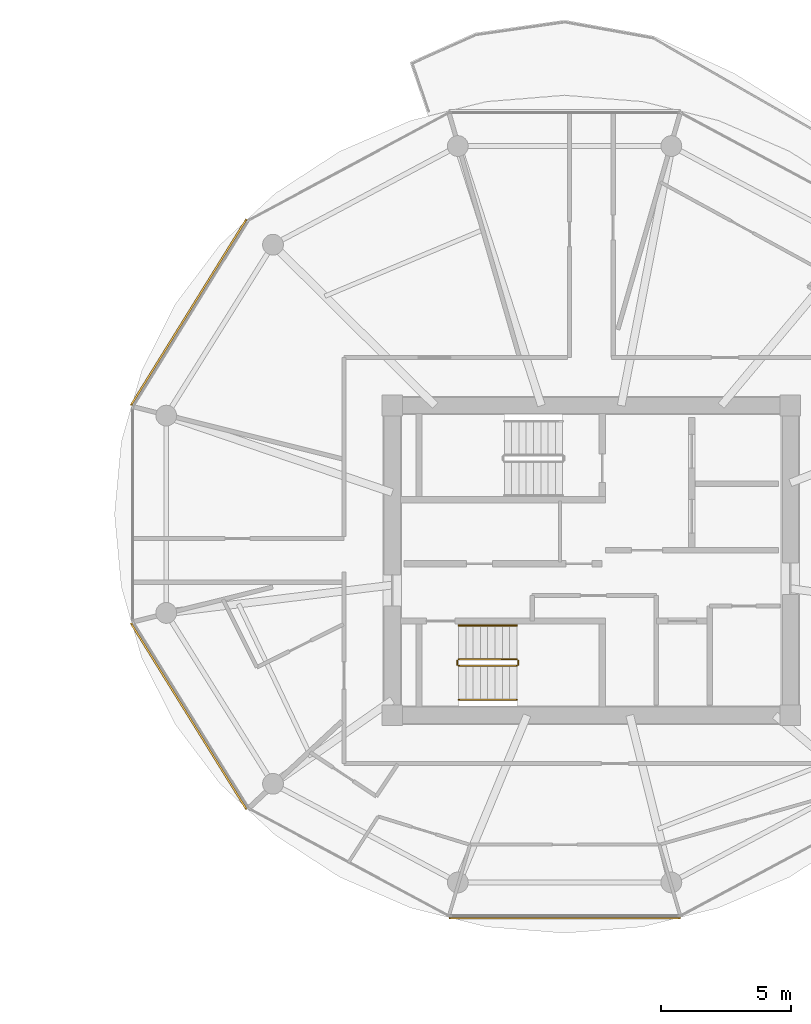
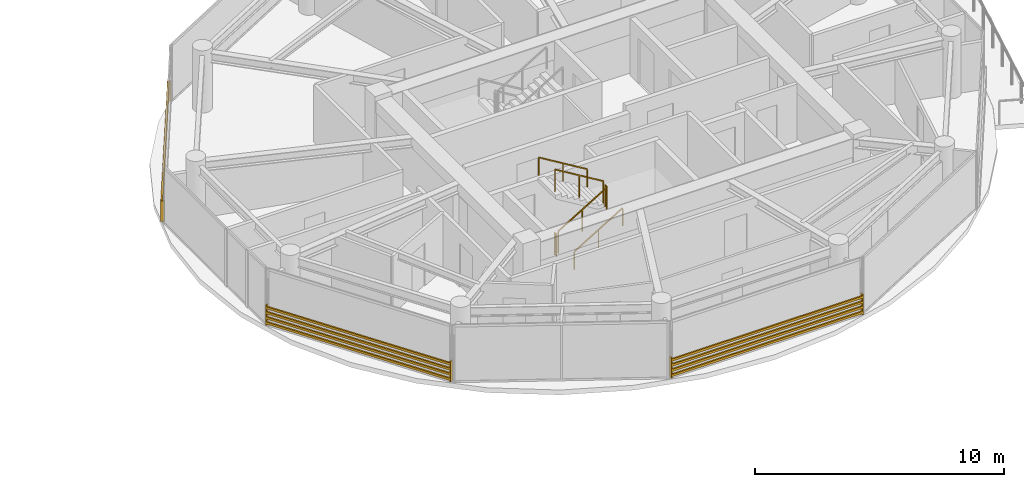
# One storey, part 21 of 23: 6 railings, 3 shading devices.
"""IFC4 building model written with IfcOpenShell, lengths in metres."""

from ifc_helpers import new_model, si_unit, direction, frame, origin, origin_2d, place, context, subcontext, project, spatial, rectangle, extrude, source, transform, mapped, material, type_object, type_shapes, element, save


model = new_model("IFC4")

# Units and contexts
model_context = context("Model", 3, precision=1e-05, world=origin(), true_north=direction((0.0, 1.0)))
body_context = subcontext(model_context, "Body", "Model", "MODEL_VIEW")
ifc_project = project(units=[si_unit("LENGTHUNIT", "METRE"), si_unit("AREAUNIT", "SQUARE_METRE"), si_unit("VOLUMEUNIT", "CUBIC_METRE"), si_unit("PLANEANGLEUNIT", "RADIAN"), si_unit("MASSUNIT", "GRAM", prefix="KILO")], contexts=[model_context])

# Site, building, storey
site_placement = place(None, origin())
site = spatial("IfcSite", under=ifc_project, at=site_placement, CompositionType="ELEMENT")
building_placement = place(site_placement, origin())
building = spatial("IfcBuilding", under=site, at=building_placement, Name="Norrkilde Senior Care Towers", CompositionType="ELEMENT")
storey_placement = place(building_placement, frame((0.0, 0.0, 173.949951171875)))
storey = spatial("IfcBuildingStorey", under=building, at=storey_placement, Name="L54", CompositionType="ELEMENT", Elevation=173.949951171875)

# Railings
ifc_material_1 = material(Name="Stainless Steel", Category="steel")
railing_type_1 = type_object("IfcRailingType", Name="Stair and Terrace Guardrail 1100", PredefinedType="GUARDRAIL", material=ifc_material_1)
railing_1_placement = place(storey_placement, frame((22.89990234375, -4.050048828125, 0.16943359375)))
element("IfcRailing", 1, at=railing_1_placement, inside=storey, type_object=railing_type_1, Name="L54 ST-E2 stair guard 1", PredefinedType="GUARDRAIL", context=body_context, shape_type="SweptSolid", body=[
    extrude(rectangle(XDim=0.048095703125, YDim=0.048095703125, at=origin_2d()), frame((0.0, 0.0, 1.076171875), z_axis=(0.855512035549, 0.0, 0.517782924622), x_axis=(0.0, 1.0, 0.0)), (0.0, 0.0, 1.0), 2.618408203125),
    extrude(rectangle(XDim=0.0419921875, YDim=0.0419921875, at=origin_2d()), origin(), (0.0, 0.0, 1.0), 1.050048828125),
    extrude(rectangle(XDim=0.0419921875, YDim=0.0419921875, at=origin_2d()), frame((1.1201171875, 0.0, 0.677734375)), (0.0, 0.0, 1.0), 1.050048828125),
    extrude(rectangle(XDim=0.0419921875, YDim=0.0419921875, at=origin_2d()), frame((2.239990234375, 0.0, 1.355712890625)), (0.0, 0.0, 1.0), 1.050048828125),
])
railing_2_placement = place(storey_placement, frame((25.18994140625, -4.0, 1.525146484375)))
element("IfcRailing", 2, at=railing_2_placement, inside=storey, type_object=railing_type_1, Name="L54 ST-E2 stair guard 2", PredefinedType="GUARDRAIL", context=body_context, shape_type="SweptSolid", body=[
    extrude(rectangle(XDim=0.048095703125, YDim=0.048095703125, at=origin_2d()), frame((0.0, 0.0, 1.076171875), z_axis=(0.0, 1.0, 0.0), x_axis=(-1.0, 0.0, 0.0)), (0.0, 0.0, 1.0), 0.14990234375),
    extrude(rectangle(XDim=0.0419921875, YDim=0.0419921875, at=origin_2d()), origin(), (0.0, 0.0, 1.0), 1.050048828125),
    extrude(rectangle(XDim=0.0419921875, YDim=0.0419921875, at=origin_2d()), frame((0.0, 0.14990234375, 0.0)), (0.0, 0.0, 1.0), 1.050048828125),
])
railing_3_placement = place(storey_placement, frame((25.139892578125, -3.800048828125, 1.694580078125)))
element("IfcRailing", 3, at=railing_3_placement, inside=storey, type_object=railing_type_1, Name="L54 ST-E2 stair guard 3", PredefinedType="GUARDRAIL", context=body_context, shape_type="SweptSolid", body=[
    extrude(rectangle(XDim=0.048095703125, YDim=0.048095703125, at=origin_2d()), frame((0.0, 0.0, 1.076171875), z_axis=(-0.855553338991, 0.0, 0.51771467445), x_axis=(0.0, -1.0, 0.0)), (0.0, 0.0, 1.0), 2.6181640625),
    extrude(rectangle(XDim=0.0419921875, YDim=0.0419921875, at=origin_2d()), origin(), (0.0, 0.0, 1.0), 1.050048828125),
    extrude(rectangle(XDim=0.0419921875, YDim=0.0419921875, at=origin_2d()), frame((-1.1201171875, 0.0, 0.677734375)), (0.0, 0.0, 1.0), 1.050048828125),
    extrude(rectangle(XDim=0.0419921875, YDim=0.0419921875, at=origin_2d()), frame((-2.239990234375, 0.0, 1.35546875)), (0.0, 0.0, 1.0), 1.050048828125),
])
railing_4_placement = place(storey_placement, frame((22.85009765625, -4.0, 0.0)))
element("IfcRailing", 4, at=railing_4_placement, inside=storey, type_object=railing_type_1, Name="L54 ST-E2 stair guard 4", PredefinedType="GUARDRAIL", context=body_context, shape_type="SweptSolid", body=[
    extrude(rectangle(XDim=0.048095703125, YDim=0.048095703125, at=origin_2d()), frame((0.0, 0.0, 1.076171875), z_axis=(0.0, 1.0, 0.0), x_axis=(-1.0, 0.0, 0.0)), (0.0, 0.0, 1.0), 0.14990234375),
    extrude(rectangle(XDim=0.0419921875, YDim=0.0419921875, at=origin_2d()), origin(), (0.0, 0.0, 1.0), 1.050048828125),
    extrude(rectangle(XDim=0.0419921875, YDim=0.0419921875, at=origin_2d()), frame((0.0, 0.14990234375, 0.0)), (0.0, 0.0, 1.0), 1.050048828125),
])
ifc_material_2 = material(Name="Nordic Ash Timber", Category="wood")
railing_type_2 = type_object("IfcRailingType", Name="Wall and Stair Handrail 900", PredefinedType="HANDRAIL", material=ifc_material_2)
railing_5_placement = place(storey_placement, frame((22.89990234375, -5.35009765625, 0.16943359375)))
element("IfcRailing", 5, at=railing_5_placement, inside=storey, type_object=railing_type_2, Name="L54 ST-E2 stair handrail 1", PredefinedType="HANDRAIL", context=body_context, shape_type="SweptSolid", body=[
    extrude(rectangle(XDim=0.048095703125, YDim=0.048095703125, at=origin_2d()), frame((0.0, 0.0, 0.8759765625), z_axis=(0.855512035549, 0.0, 0.517782924622), x_axis=(0.0, 1.0, 0.0)), (0.0, 0.0, 1.0), 2.618408203125),
    extrude(rectangle(XDim=0.0419921875, YDim=0.0419921875, at=origin_2d()), origin(), (0.0, 0.0, 1.0), 0.849853515625),
    extrude(rectangle(XDim=0.0419921875, YDim=0.0419921875, at=origin_2d()), frame((1.1201171875, 0.0, 0.677734375)), (0.0, 0.0, 1.0), 0.849853515625),
    extrude(rectangle(XDim=0.0419921875, YDim=0.0419921875, at=origin_2d()), frame((2.239990234375, 0.0, 1.355712890625)), (0.0, 0.0, 1.0), 0.849853515625),
])
railing_6_placement = place(storey_placement, frame((25.139892578125, -2.5, 1.694580078125)))
element("IfcRailing", 6, at=railing_6_placement, inside=storey, type_object=railing_type_2, Name="L54 ST-E2 stair handrail 2", PredefinedType="HANDRAIL", context=body_context, shape_type="SweptSolid", body=[
    extrude(rectangle(XDim=0.048095703125, YDim=0.048095703125, at=origin_2d()), frame((0.0, 0.0, 0.8759765625), z_axis=(-0.855553338991, 0.0, 0.51771467445), x_axis=(0.0, -1.0, 0.0)), (0.0, 0.0, 1.0), 2.6181640625),
    extrude(rectangle(XDim=0.0419921875, YDim=0.0419921875, at=origin_2d()), origin(), (0.0, 0.0, 1.0), 0.849853515625),
    extrude(rectangle(XDim=0.0419921875, YDim=0.0419921875, at=origin_2d()), frame((-1.1201171875, 0.0, 0.677734375)), (0.0, 0.0, 1.0), 0.849853515625),
    extrude(rectangle(XDim=0.0419921875, YDim=0.0419921875, at=origin_2d()), frame((-2.239990234375, 0.0, 1.35546875)), (0.0, 0.0, 1.0), 0.849853515625),
])

# Shading devices
ifc_material_3 = material(Name="Architectural Terracotta", Category="masonry")
shading_device_type = type_object("IfcShadingDeviceType", Name="Horizontal Terracotta Baguette Rack", PredefinedType="USERDEFINED", material=ifc_material_3)
shared_shape_1 = source(origin(), body_context, "Body", "SweptSolid", [
    extrude(rectangle(XDim=0.070068359375, YDim=0.110107421875, at=origin_2d()), frame((0.0, 0.090087890625, 0.125), z_axis=(1.0, 0.0, 0.0), x_axis=(0.0, 1.0, 0.0)), (0.0, 0.0, 1.0), 8.89306640625),
    extrude(rectangle(XDim=0.070068359375, YDim=0.110107421875, at=origin_2d()), frame((0.0, 0.090087890625, 0.375), z_axis=(1.0, 0.0, 0.0), x_axis=(0.0, 1.0, 0.0)), (0.0, 0.0, 1.0), 8.89306640625),
    extrude(rectangle(XDim=0.070068359375, YDim=0.110107421875, at=origin_2d()), frame((0.0, 0.090087890625, 0.625), z_axis=(1.0, 0.0, 0.0), x_axis=(0.0, 1.0, 0.0)), (0.0, 0.0, 1.0), 8.89306640625),
    extrude(rectangle(XDim=0.070068359375, YDim=0.110107421875, at=origin_2d()), frame((0.0, 0.090087890625, 0.875), z_axis=(1.0, 0.0, 0.0), x_axis=(0.0, 1.0, 0.0)), (0.0, 0.0, 1.0), 8.89306640625),
    extrude(rectangle(XDim=0.050048828125, YDim=0.1552734375, at=origin_2d()), frame((0.02490234375, 0.047607421875, 0.0)), (0.0, 0.0, 1.0), 1.0),
    extrude(rectangle(XDim=0.050048828125, YDim=0.1552734375, at=origin_2d()), frame((8.8681640625, 0.047607421875, 0.0)), (0.0, 0.0, 1.0), 1.0),
])
shading_device_placement = place(storey_placement, frame((31.421630859375, -13.66015625, 0.080078125), z_axis=(0.0, 0.0, 1.0), x_axis=(-1.0, 0.0, 0.0)))
element("IfcShadingDevice", 7, at=shading_device_placement, inside=storey, type_object=shading_device_type, Name="L54 Drum E Terracotta Baguette Screen 08", ObjectType="BAGUETTE", PredefinedType="USERDEFINED", context=body_context, shape_type="MappedRepresentation", body=[
    mapped(shared_shape_1, transform((0.0, 0.0, 0.0), x_axis=(1.0, 0.0, 0.0), y_axis=(0.0, 1.0, 0.0), z_axis=(0.0, 0.0, 1.0), scale=1.0)),
])
shared_shape_2 = source(origin(), body_context, "Body", "SweptSolid", [
    extrude(rectangle(XDim=0.070068359375, YDim=0.110107421875, at=origin_2d()), frame((0.0, 0.090087890625, 0.125), z_axis=(1.0, 0.0, 0.0), x_axis=(0.0, 1.0, 0.0)), (0.0, 0.0, 1.0), 8.431396484375),
    extrude(rectangle(XDim=0.070068359375, YDim=0.110107421875, at=origin_2d()), frame((0.0, 0.090087890625, 0.375), z_axis=(1.0, 0.0, 0.0), x_axis=(0.0, 1.0, 0.0)), (0.0, 0.0, 1.0), 8.431396484375),
    extrude(rectangle(XDim=0.070068359375, YDim=0.110107421875, at=origin_2d()), frame((0.0, 0.090087890625, 0.625), z_axis=(1.0, 0.0, 0.0), x_axis=(0.0, 1.0, 0.0)), (0.0, 0.0, 1.0), 8.431396484375),
    extrude(rectangle(XDim=0.070068359375, YDim=0.110107421875, at=origin_2d()), frame((0.0, 0.090087890625, 0.875), z_axis=(1.0, 0.0, 0.0), x_axis=(0.0, 1.0, 0.0)), (0.0, 0.0, 1.0), 8.431396484375),
    extrude(rectangle(XDim=0.050048828125, YDim=0.1552734375, at=origin_2d()), frame((0.02490234375, 0.047607421875, 0.0)), (0.0, 0.0, 1.0), 1.0),
    extrude(rectangle(XDim=0.050048828125, YDim=0.1552734375, at=origin_2d()), frame((8.40625, 0.047607421875, 0.0)), (0.0, 0.0, 1.0), 1.0),
])
type_shapes(shading_device_type, [shared_shape_1, shared_shape_2])
for number, where, z_axis, x_axis, name in (
    (8, (10.38037109375, 5.911376953125, 0.080078125), (0.0, 0.0, 1.0), (0.527378022296, 0.849630809324, 0.0), "L54 Drum E Terracotta Baguette Screen 04"),
    (9, (14.826904296875, -9.524169921875, 0.080078125), (0.0, 0.0, 1.0), (-0.527378022296, 0.849630809324, 0.0), "L54 Drum E Terracotta Baguette Screen 06"),
):
    element("IfcShadingDevice", number, at=place(storey_placement, frame(where, z_axis=z_axis, x_axis=x_axis)), inside=storey, type_object=shading_device_type, Name=name, ObjectType="BAGUETTE", PredefinedType="USERDEFINED", context=body_context, shape_type="MappedRepresentation", body=[
        mapped(shared_shape_2, transform((0.0, 0.0, 0.0), x_axis=(1.0, 0.0, 0.0), y_axis=(0.0, 1.0, 0.0), z_axis=(0.0, 0.0, 1.0), scale=1.0)),
    ])

save(model, "model.ifc")
